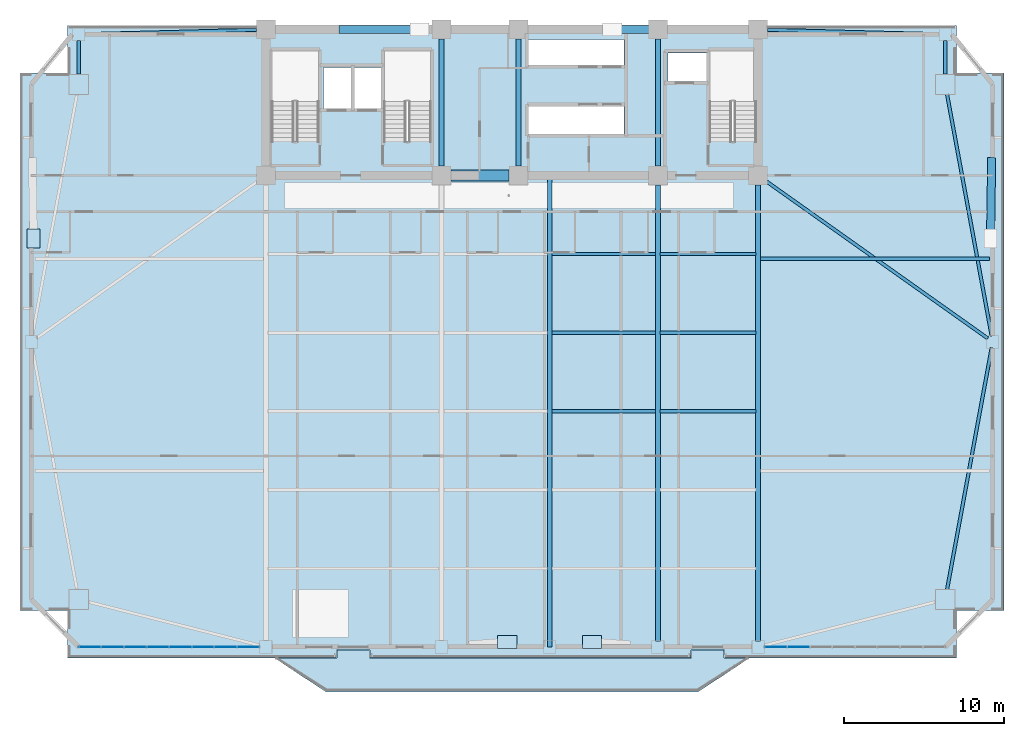
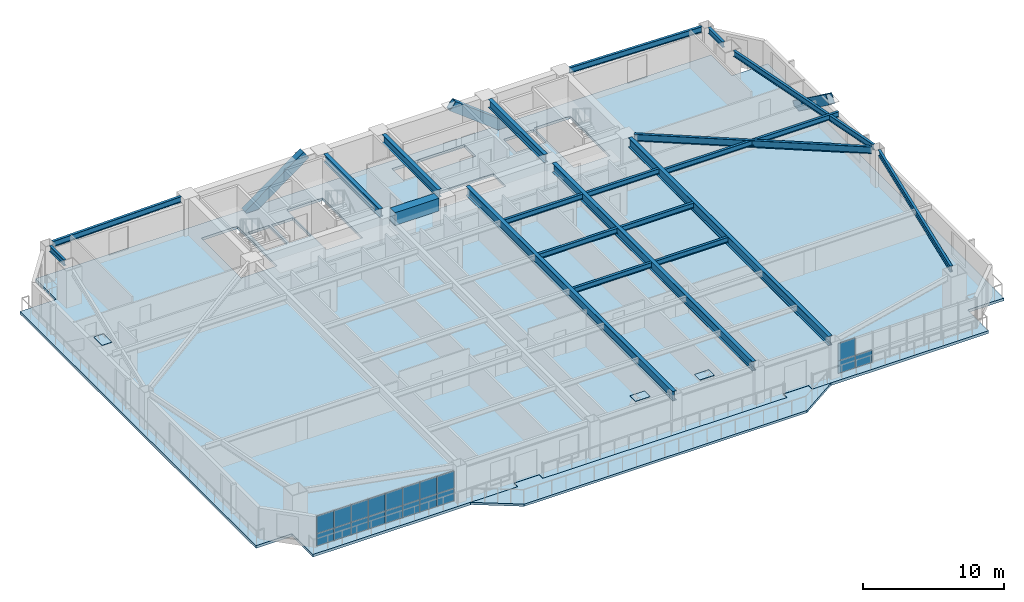
# One storey, part 6 of 17: 22 plates, 21 beams, 3 members, 2 slabs, 2 elements without a shape of their own.
"""IFC4 building model written with IfcOpenShell, lengths in metres."""

from ifc_helpers import new_model, si_unit, direction, frame, origin, origin_2d, place, context, subcontext, project, spatial, polyline, rectangle, hollow_rectangle, i_section, outline, extrude, source, transform, mapped, material, layer, layer_set, material_profile, profile_set, type_object, element, aggregate, save


model = new_model("IFC4")

# Units and contexts
model_context = context("Model", 3, precision=1e-05, world=origin(), true_north=direction((0.0, 1.0)))
body_context = subcontext(model_context, "Body", "Model", "MODEL_VIEW")
ifc_project = project(units=[si_unit("LENGTHUNIT", "METRE"), si_unit("AREAUNIT", "SQUARE_METRE"), si_unit("VOLUMEUNIT", "CUBIC_METRE"), si_unit("PLANEANGLEUNIT", "RADIAN"), si_unit("MASSUNIT", "GRAM", prefix="KILO")], contexts=[model_context])

# Site, building, storey
site_placement = place(None, origin())
site = spatial("IfcSite", under=ifc_project, at=site_placement, CompositionType="ELEMENT")
building_placement = place(site_placement, origin())
building = spatial("IfcBuilding", under=site, at=building_placement, Name="Giltprow Tower", CompositionType="ELEMENT")
storey_placement = place(building_placement, frame((0.0, 0.0, 141.199951171875)))
storey = spatial("IfcBuildingStorey", under=building, at=storey_placement, Name="L34", CompositionType="ELEMENT", Elevation=141.199951171875)

# Beams
ifc_material_1 = material(Name="Concrete C60", Category="concrete")
ifc_material_profile_1 = material_profile(ifc_material_1, rectangle(XDim=0.699951171875, YDim=1.10009765625, at=origin_2d()), Name="RC 1100x700")
ifc_profile_set_1 = profile_set([ifc_material_profile_1], Name="Concrete C60")
beam_type_1 = type_object("IfcBeamType", Name="BM-CPL-RC1100", PredefinedType="LINTEL", material=ifc_profile_set_1)
shared_shape_1 = source(origin(), body_context, "Body", "SweptSolid", [
    extrude(rectangle(XDim=0.699951171875, YDim=1.10009765625, at=origin_2d()), origin(), (0.0, 0.0, 1.0), 3.6298828125),
])
beam_1_placement = place(storey_placement, frame((31.385009765625, 37.449951171875, 2.670166015625), z_axis=(1.0, 0.0, 0.0), x_axis=(0.0, 1.0, 0.0)))
element("IfcBeam", 1, at=beam_1_placement, inside=storey, type_object=beam_type_1, Name="L34 Core Coupling Beam CB-1", PredefinedType="LINTEL", context=body_context, shape_type="MappedRepresentation", body=[
    mapped(shared_shape_1, transform((0.0, 0.0, 0.0), x_axis=(1.0, 0.0, 0.0), y_axis=(0.0, 1.0, 0.0), z_axis=(0.0, 0.0, 1.0), scale=1.0)),
])
ifc_material_2 = material(Name="Structural steel Q355B", Category="steel")
ifc_material_profile_2 = material_profile(ifc_material_2, i_section(OverallWidth=0.300048828125, OverallDepth=0.699951171875, WebThickness=0.012939453125, FlangeThickness=0.02392578125, at=origin_2d()), Name="HN 700x300x13x24")
ifc_profile_set_2 = profile_set([ifc_material_profile_2], Name="Structural steel Q355B")
beam_type_2 = type_object("IfcBeamType", Name="BM-GIRD-HN700", PredefinedType="BEAM", material=ifc_profile_set_2)
shared_shape_2 = source(origin(), body_context, "Body", "SweptSolid", [
    extrude(i_section(OverallWidth=0.300048828125, OverallDepth=0.699951171875, WebThickness=0.012939453125, FlangeThickness=0.02392578125, at=origin_2d()), origin(), (0.0, 0.0, 1.0), 7.93017578125),
])
for number, where, z_axis, x_axis, name in (
    (2, (30.800048828125, 38.034912109375, 2.8701171875), (0.0, 1.0, 0.0), (-1.0, 0.0, 0.0), "L34 Core Tie Girder M1"),
    (3, (35.60009765625, 38.034912109375, 2.8701171875), (0.0, 1.0, 0.0), (-1.0, 0.0, 0.0), "L34 Core Tie Girder M2"),
    (4, (44.300048828125, 38.034912109375, 2.8701171875), (0.0, 1.0, 0.0), (-1.0, 0.0, 0.0), "L34 Core Tie Girder M3"),
):
    element("IfcBeam", number, at=place(storey_placement, frame(where, z_axis=z_axis, x_axis=x_axis)), inside=storey, type_object=beam_type_2, Name=name, PredefinedType="BEAM", context=body_context, shape_type="MappedRepresentation", body=[
        mapped(shared_shape_2, transform((0.0, 0.0, 0.0), x_axis=(1.0, 0.0, 0.0), y_axis=(0.0, 1.0, 0.0), z_axis=(0.0, 0.0, 1.0), scale=1.0)),
    ])
ifc_material_profile_3 = material_profile(ifc_material_2, i_section(OverallWidth=0.199951171875, OverallDepth=0.449951171875, WebThickness=0.009033203125, FlangeThickness=0.013916015625, at=origin_2d()), Name="HN 450x200x9x14")
ifc_profile_set_3 = profile_set([ifc_material_profile_3], Name="Structural steel Q355B")
beam_type_3 = type_object("IfcBeamType", Name="BM-JOIST-HN450", PredefinedType="JOIST", material=ifc_profile_set_3)
shared_shape_3 = source(origin(), body_context, "Body", "SweptSolid", [
    extrude(i_section(OverallWidth=0.199951171875, OverallDepth=0.449951171875, WebThickness=0.009033203125, FlangeThickness=0.013916015625, at=origin_2d()), origin(), (0.0, 0.0, 1.0), 6.4599609375),
])
for number, where, z_axis, x_axis, name in (
    (5, (37.695068359375, 22.748046875, 2.9951171875), (1.0, 0.0, 0.0), (0.0, 1.0, 0.0), "L34 Composite Floor Joist 3-3"),
    (6, (37.695068359375, 27.64794921875, 2.9951171875), (1.0, 0.0, 0.0), (0.0, 1.0, 0.0), "L34 Composite Floor Joist 4-3"),
    (7, (37.695068359375, 32.549072265625, 2.9951171875), (1.0, 0.0, 0.0), (0.0, 1.0, 0.0), "L34 Composite Floor Joist 5-3"),
):
    element("IfcBeam", number, at=place(storey_placement, frame(where, z_axis=z_axis, x_axis=x_axis)), inside=storey, type_object=beam_type_3, Name=name, PredefinedType="JOIST", context=body_context, shape_type="MappedRepresentation", body=[
        mapped(shared_shape_3, transform((0.0, 0.0, 0.0), x_axis=(1.0, 0.0, 0.0), y_axis=(0.0, 1.0, 0.0), z_axis=(0.0, 0.0, 1.0), scale=1.0)),
    ])
shared_shape_4 = source(origin(), body_context, "Body", "SweptSolid", [
    extrude(i_section(OverallWidth=0.199951171875, OverallDepth=0.449951171875, WebThickness=0.009033203125, FlangeThickness=0.013916015625, at=origin_2d()), origin(), (0.0, 0.0, 1.0), 5.9599609375),
])
for number, where, z_axis, x_axis, name in (
    (8, (44.445068359375, 22.748046875, 2.9951171875), (1.0, 0.0, 0.0), (0.0, 1.0, 0.0), "L34 Composite Floor Joist 3-4"),
    (9, (44.445068359375, 27.64794921875, 2.9951171875), (1.0, 0.0, 0.0), (0.0, 1.0, 0.0), "L34 Composite Floor Joist 4-4"),
    (10, (44.445068359375, 32.549072265625, 2.9951171875), (1.0, 0.0, 0.0), (0.0, 1.0, 0.0), "L34 Composite Floor Joist 5-4"),
):
    element("IfcBeam", number, at=place(storey_placement, frame(where, z_axis=z_axis, x_axis=x_axis)), inside=storey, type_object=beam_type_3, Name=name, PredefinedType="JOIST", context=body_context, shape_type="MappedRepresentation", body=[
        mapped(shared_shape_4, transform((0.0, 0.0, 0.0), x_axis=(1.0, 0.0, 0.0), y_axis=(0.0, 1.0, 0.0), z_axis=(0.0, 0.0, 1.0), scale=1.0)),
    ])
shared_shape_5 = source(origin(), body_context, "Body", "SweptSolid", [
    extrude(i_section(OverallWidth=0.199951171875, OverallDepth=0.449951171875, WebThickness=0.009033203125, FlangeThickness=0.013916015625, at=origin_2d()), origin(), (0.0, 0.0, 1.0), 14.27099609375),
])
beam_2_placement = place(storey_placement, frame((50.695068359375, 32.260986328125, 2.9951171875), z_axis=(1.0, 0.0, 0.0), x_axis=(0.0, 1.0, 0.0)))
element("IfcBeam", 11, at=beam_2_placement, inside=storey, type_object=beam_type_3, Name="L34 East Wing Floor Joist 2", PredefinedType="JOIST", context=body_context, shape_type="MappedRepresentation", body=[
    mapped(shared_shape_5, transform((0.0, 0.0, 0.0), x_axis=(1.0, 0.0, 0.0), y_axis=(0.0, 1.0, 0.0), z_axis=(0.0, 0.0, 1.0), scale=1.0)),
])
ifc_material_profile_4 = material_profile(ifc_material_2, i_section(OverallWidth=0.199951171875, OverallDepth=0.5, WebThickness=0.010009765625, FlangeThickness=0.01611328125, at=origin_2d()), Name="HN 500x200x10x16")
ifc_profile_set_4 = profile_set([ifc_material_profile_4], Name="Structural steel Q355B")
beam_type_4 = type_object("IfcBeamType", Name="BM-SPAN-HN500", PredefinedType="SPANDREL", material=ifc_profile_set_4)
shared_shape_6 = source(origin(), body_context, "Body", "SweptSolid", [
    extrude(i_section(OverallWidth=0.199951171875, OverallDepth=0.5, WebThickness=0.010009765625, FlangeThickness=0.01611328125, at=origin_2d()), origin(), (0.0, 0.0, 1.0), 15.3134765625),
])
for number, where, z_axis, x_axis, name in (
    (12, (62.3359375, 11.634033203125, 2.969970703125), (0.181540600951, 0.98338345024, 0.0), (-0.98338345024, 0.181540600951, 0.0), "L34 Perimeter Spandrel Beam MC_SE-E_MID"),
    (13, (65.115966796875, 27.450927734375, 2.969970703125), (-0.181540600951, 0.98338345024, 0.0), (-0.98338345024, -0.181540600951, 0.0), "L34 Perimeter Spandrel Beam E_MID-MC_NE"),
):
    element("IfcBeam", number, at=place(storey_placement, frame(where, z_axis=z_axis, x_axis=x_axis)), inside=storey, type_object=beam_type_4, Name=name, PredefinedType="SPANDREL", context=body_context, shape_type="MappedRepresentation", body=[
        mapped(shared_shape_6, transform((0.0, 0.0, 0.0), x_axis=(1.0, 0.0, 0.0), y_axis=(0.0, 1.0, 0.0), z_axis=(0.0, 0.0, 1.0), scale=1.0)),
    ])
shared_shape_7 = source(origin(), body_context, "Body", "SweptSolid", [
    extrude(i_section(OverallWidth=0.199951171875, OverallDepth=0.5, WebThickness=0.010009765625, FlangeThickness=0.01611328125, at=origin_2d()), origin(), (0.0, 0.0, 1.0), 2.095947265625),
])
for number, where, z_axis, x_axis, name in (
    (14, (62.220947265625, 43.76904296875, 2.969970703125), (0.0, 1.0, 0.0), (-1.0, 0.0, 0.0), "L34 Perimeter Spandrel Beam MC_NE-N_E"),
    (15, (8.178955078125, 45.864990234375, 2.969970703125), (0.0, -1.0, 0.0), (1.0, 0.0, 0.0), "L34 Perimeter Spandrel Beam N_W-MC_NW"),
):
    element("IfcBeam", number, at=place(storey_placement, frame(where, z_axis=z_axis, x_axis=x_axis)), inside=storey, type_object=beam_type_4, Name=name, PredefinedType="SPANDREL", context=body_context, shape_type="MappedRepresentation", body=[
        mapped(shared_shape_7, transform((0.0, 0.0, 0.0), x_axis=(1.0, 0.0, 0.0), y_axis=(0.0, 1.0, 0.0), z_axis=(0.0, 0.0, 1.0), scale=1.0)),
    ])
shared_shape_8 = source(origin(), body_context, "Body", "SweptSolid", [
    extrude(i_section(OverallWidth=0.199951171875, OverallDepth=0.5, WebThickness=0.010009765625, FlangeThickness=0.01611328125, at=origin_2d()), origin(), (0.0, 0.0, 1.0), 10.704345703125),
])
for number, where, z_axis, x_axis, name in (
    (16, (8.56396484375, 46.260009765625, 2.969970703125), (0.999670185966, 0.02568110765, 0.0), (-0.02568110765, 0.999670185966, 0.0), "L34 North Wing Spandrel W"),
    (17, (51.135009765625, 46.534912109375, 2.969970703125), (0.999670185966, -0.02568110765, 0.0), (0.02568110765, 0.999670185966, 0.0), "L34 North Wing Spandrel E"),
):
    element("IfcBeam", number, at=place(storey_placement, frame(where, z_axis=z_axis, x_axis=x_axis)), inside=storey, type_object=beam_type_4, Name=name, PredefinedType="SPANDREL", context=body_context, shape_type="MappedRepresentation", body=[
        mapped(shared_shape_8, transform((0.0, 0.0, 0.0), x_axis=(1.0, 0.0, 0.0), y_axis=(0.0, 1.0, 0.0), z_axis=(0.0, 0.0, 1.0), scale=1.0)),
    ])
ifc_material_profile_5 = material_profile(ifc_material_2, i_section(OverallWidth=0.300048828125, OverallDepth=0.800048828125, WebThickness=0.013916015625, FlangeThickness=0.02587890625, at=origin_2d()), Name="HN 800x300x14x26")
ifc_profile_set_5 = profile_set([ifc_material_profile_5], Name="Structural steel Q355B")
beam_type_5 = type_object("IfcBeamType", Name="BM-GIRD-HN800", PredefinedType="BEAM", material=ifc_profile_set_5)
shared_shape_9 = source(origin(), body_context, "Body", "SweptSolid", [
    extrude(i_section(OverallWidth=0.300048828125, OverallDepth=0.800048828125, WebThickness=0.013916015625, FlangeThickness=0.02587890625, at=origin_2d()), origin(), (0.0, 0.0, 1.0), 28.43505859375),
])
for number, where, z_axis, x_axis, name in (
    (18, (44.300048828125, 8.429931640625, 2.820068359375), (0.0, 1.0, 0.0), (-1.0, 0.0, 0.0), "L34 Primary Lease Girder S3"),
    (19, (50.550048828125, 8.429931640625, 2.820068359375), (0.0, 1.0, 0.0), (-1.0, 0.0, 0.0), "L34 Primary Lease Girder S4"),
):
    element("IfcBeam", number, at=place(storey_placement, frame(where, z_axis=z_axis, x_axis=x_axis)), inside=storey, type_object=beam_type_5, Name=name, PredefinedType="BEAM", context=body_context, shape_type="MappedRepresentation", body=[
        mapped(shared_shape_9, transform((0.0, 0.0, 0.0), x_axis=(1.0, 0.0, 0.0), y_axis=(0.0, 1.0, 0.0), z_axis=(0.0, 0.0, 1.0), scale=1.0)),
    ])
shared_shape_10 = source(origin(), body_context, "Body", "SweptSolid", [
    extrude(i_section(OverallWidth=0.300048828125, OverallDepth=0.800048828125, WebThickness=0.013916015625, FlangeThickness=0.02587890625, at=origin_2d()), origin(), (0.0, 0.0, 1.0), 29.405029296875),
])
beam_3_placement = place(storey_placement, frame((37.550048828125, 8.044921875, 2.820068359375), z_axis=(0.0, 1.0, 0.0), x_axis=(-1.0, 0.0, 0.0)))
element("IfcBeam", 20, at=beam_3_placement, inside=storey, type_object=beam_type_5, Name="L34 Central Lease Girder SMID", PredefinedType="BEAM", context=body_context, shape_type="MappedRepresentation", body=[
    mapped(shared_shape_10, transform((0.0, 0.0, 0.0), x_axis=(1.0, 0.0, 0.0), y_axis=(0.0, 1.0, 0.0), z_axis=(0.0, 0.0, 1.0), scale=1.0)),
])
ifc_material_profile_6 = material_profile(ifc_material_2, i_section(OverallWidth=0.199951171875, OverallDepth=0.60009765625, WebThickness=0.010986328125, FlangeThickness=0.01708984375, at=origin_2d()), Name="HN 600x200x11x17")
ifc_profile_set_6 = profile_set([ifc_material_profile_6], Name="Structural steel Q355B")
beam_type_6 = type_object("IfcBeamType", Name="BM-GIRD-HN600", PredefinedType="BEAM", material=ifc_profile_set_6)
shared_shape_11 = source(origin(), body_context, "Body", "SweptSolid", [
    extrude(i_section(OverallWidth=0.199951171875, OverallDepth=0.60009765625, WebThickness=0.010986328125, FlangeThickness=0.01708984375, at=origin_2d()), origin(), (0.0, 0.0, 1.0), 16.972412109375),
])
beam_4_placement = place(storey_placement, frame((64.8720703125, 27.294921875, 2.920166015625), z_axis=(-0.815738567685, 0.57842077175, 0.0), x_axis=(-0.57842077175, -0.815738567685, 0.0)))
element("IfcBeam", 21, at=beam_4_placement, inside=storey, type_object=beam_type_6, Name="L34 East Wing Primary Girder", PredefinedType="BEAM", context=body_context, shape_type="MappedRepresentation", body=[
    mapped(shared_shape_11, transform((0.0, 0.0, 0.0), x_axis=(1.0, 0.0, 0.0), y_axis=(0.0, 1.0, 0.0), z_axis=(0.0, 0.0, 1.0), scale=1.0)),
])

# Members
ifc_material_3 = material(Name="Structural steel Q420GJC", Category="steel")
ifc_material_profile_7 = material_profile(ifc_material_3, hollow_rectangle(XDim=0.5, YDim=0.800048828125, WallThickness=0.035888671875, at=origin_2d()), Name="RHS 800x500x36")
ifc_profile_set_7 = profile_set([ifc_material_profile_7], Name="Structural steel Q420GJC")
member_type = type_object("IfcMemberType", Name="MBR-MEGA-RHS800", PredefinedType="BRACE", material=ifc_profile_set_7)
shared_shape_12 = source(origin(), body_context, "Body", "SweptSolid", [
    extrude(hollow_rectangle(XDim=0.5, YDim=0.800048828125, WallThickness=0.035888671875, at=origin_2d()), origin(), (0.0, 0.0, 1.0), 5.740478515625),
])
member_1_placement = place(storey_placement, frame((46.0, 46.550048828125, -0.139892578125), z_axis=(-0.792627151158, 0.0, 0.609706650158), x_axis=(0.0, -1.0, 0.0)))
element("IfcMember", 22, at=member_1_placement, inside=storey, type_object=member_type, Name="L34 Chevron Mega-Brace N-R", PredefinedType="BRACE", context=body_context, shape_type="MappedRepresentation", body=[
    mapped(shared_shape_12, transform((0.0, 0.0, 0.0), x_axis=(1.0, 0.0, 0.0), y_axis=(0.0, 1.0, 0.0), z_axis=(0.0, 0.0, 1.0), scale=1.0)),
])
shared_shape_13 = source(origin(), body_context, "Body", "SweptSolid", [
    extrude(hollow_rectangle(XDim=0.5, YDim=0.800048828125, WallThickness=0.035888671875, at=origin_2d()), origin(), (0.0, 0.0, 1.0), 5.935546875),
])
member_2_placement = place(storey_placement, frame((24.64306640625, 46.550048828125, -0.139892578125), z_axis=(0.807653298864, 0.0, 0.589657653927), x_axis=(0.0, 1.0, 0.0)))
element("IfcMember", 23, at=member_2_placement, inside=storey, type_object=member_type, Name="L34 Chevron Mega-Brace N-L", PredefinedType="BRACE", context=body_context, shape_type="MappedRepresentation", body=[
    mapped(shared_shape_13, transform((0.0, 0.0, 0.0), x_axis=(1.0, 0.0, 0.0), y_axis=(0.0, 1.0, 0.0), z_axis=(0.0, 0.0, 1.0), scale=1.0)),
])
shared_shape_14 = source(origin(), body_context, "Body", "SweptSolid", [
    extrude(hollow_rectangle(XDim=0.5, YDim=0.800048828125, WallThickness=0.035888671875, at=origin_2d()), origin(), (0.0, 0.0, 1.0), 5.947265625),
])
member_3_placement = place(storey_placement, frame((65.114013671875, 38.325927734375, 0.0), z_axis=(-0.01194570988, -0.808408469673, 0.588500676445), x_axis=(0.999890840609, -0.014775211223, 0.0)))
element("IfcMember", 24, at=member_3_placement, inside=storey, type_object=member_type, Name="L34 Chevron Mega-Brace E-R", PredefinedType="BRACE", context=body_context, shape_type="MappedRepresentation", body=[
    mapped(shared_shape_14, transform((0.0, 0.0, 0.0), x_axis=(1.0, 0.0, 0.0), y_axis=(0.0, 1.0, 0.0), z_axis=(0.0, 0.0, 1.0), scale=1.0)),
])

# Slabs
ifc_material_4 = material(Name="Concrete C40", Category="concrete")
ifc_layer_1 = layer(ifc_material_4, 0.199951171875, Name="Concrete C40")
ifc_layer_set_1 = layer_set([ifc_layer_1], Name="Concrete C40")
slab_type_1 = type_object("IfcSlabType", Name="SLB-BALC-BRONZE-200", PredefinedType="FLOOR", material=ifc_layer_set_1)
slab_1_placement = place(storey_placement, frame((0.0, 0.0, -0.199951171875)))
element("IfcSlab", 25, at=slab_1_placement, inside=storey, type_object=slab_type_1, Name="L34 Bronze Prow Waterfront Balcony Slab", PredefinedType="FLOOR", context=body_context, shape_type="SweptSolid", body=[
    extrude(outline(polyline([(50.0, 7.344970703125), (46.800048828125, 5.2451171875), (23.60009765625, 5.2451171875), (20.39990234375, 7.344970703125), (24.280029296875, 7.344970703125), (24.280029296875, 7.844970703125), (26.320068359375, 7.844970703125), (26.320068359375, 7.344970703125), (46.3798828125, 7.344970703125), (46.3798828125, 7.844970703125), (48.419921875, 7.844970703125), (48.419921875, 7.344970703125), (50.0, 7.344970703125)])), origin(), (0.0, 0.0, 1.0), 0.199951171875),
])
ifc_layer_2 = layer(ifc_material_4, 0.22998046875, Name="Concrete C40")
ifc_layer_set_2 = layer_set([ifc_layer_2], Name="Concrete C40")
slab_type_2 = type_object("IfcSlabType", Name="SLB-HTL-230", PredefinedType="FLOOR", material=ifc_layer_set_2)
slab_2_placement = place(storey_placement, frame((0.0, 0.0, -0.22998046875)))
element("IfcSlab", 26, at=slab_2_placement, inside=storey, type_object=slab_type_2, Name="L34 Structural Composite Floor Slab", PredefinedType="FLOOR", context=body_context, shape_type="SweptSolid", body=[
    extrude(outline(polyline([(7.47900390625, 7.344970703125), (7.47900390625, 10.30908203125), (4.513916015625, 10.30908203125), (4.513916015625, 43.833984375), (7.47900390625, 43.833984375), (7.47900390625, 46.799072265625), (62.9208984375, 46.799072265625), (62.9208984375, 43.833984375), (65.885986328125, 43.833984375), (65.885986328125, 10.30908203125), (62.9208984375, 10.30908203125), (62.9208984375, 7.344970703125), (48.449951171875, 7.344970703125), (48.449951171875, 7.864990234375), (46.35009765625, 7.864990234375), (46.35009765625, 7.344970703125), (26.35009765625, 7.344970703125), (26.35009765625, 7.864990234375), (24.25, 7.864990234375), (24.25, 7.344970703125), (7.47900390625, 7.344970703125)]), holes=[polyline([(42.169921875, 41.800048828125), (36.239990234375, 41.800048828125), (36.239990234375, 40.0), (42.169921875, 40.0), (42.169921875, 41.800048828125)]), polyline([(23.159912109375, 39.570068359375), (23.159912109375, 45.25), (20.199951171875, 45.25), (20.199951171875, 39.570068359375), (23.159912109375, 39.570068359375)]), polyline([(30.159912109375, 39.570068359375), (30.159912109375, 45.25), (27.199951171875, 45.25), (27.199951171875, 39.570068359375), (30.159912109375, 39.570068359375)]), polyline([(50.4599609375, 45.25), (47.5, 45.25), (47.5, 39.570068359375), (50.4599609375, 39.570068359375), (50.4599609375, 45.25)]), polyline([(25.169921875, 44.199951171875), (23.449951171875, 44.199951171875), (23.449951171875, 41.60009765625), (25.169921875, 41.60009765625), (25.169921875, 44.199951171875)]), polyline([(27.10009765625, 44.199951171875), (25.35009765625, 44.199951171875), (25.35009765625, 41.60009765625), (27.10009765625, 41.60009765625), (27.10009765625, 44.199951171875)]), polyline([(47.3798828125, 43.300048828125), (47.3798828125, 45.10009765625), (44.919921875, 45.10009765625), (44.919921875, 43.300048828125), (47.3798828125, 43.300048828125)]), polyline([(42.169921875, 44.300048828125), (42.169921875, 45.919921875), (36.239990234375, 45.919921875), (36.239990234375, 44.300048828125), (42.169921875, 44.300048828125)])]), origin(), (0.0, 0.0, 1.0), 0.22998046875),
])

# Plates
plate_type_1 = type_object("IfcPlateType", Name="PLT-CAP-SEAL", PredefinedType="USERDEFINED", material=ifc_material_3)
shared_shape_15 = source(origin(), body_context, "Body", "SweptSolid", [
    extrude(rectangle(XDim=1.199951171875, YDim=0.800048828125, at=origin_2d()), origin(), (0.0, 0.0, 1.0), 0.034912109375),
])
for number, where, z_axis, x_axis, name in (
    (27, (34.908935546875, 8.365966796875, 3.482421875), (0.0, 0.0, 1.0), (1.0, 0.0, 0.0), "Mega-Brace Node L34-S-LB"),
    (28, (40.19091796875, 8.365966796875, 3.482421875), (0.0, 0.0, 1.0), (1.0, 0.0, 0.0), "Mega-Brace Node L34-S-RB"),
    (29, (5.35693359375, 33.51806640625, 3.482421875), (0.0, 0.0, 1.0), (0.0, 1.0, 0.0), "Mega-Brace Node L34-W-RB"),
):
    element("IfcPlate", number, at=place(storey_placement, frame(where, z_axis=z_axis, x_axis=x_axis)), inside=storey, type_object=plate_type_1, Name=name, ObjectType="SPLICE", PredefinedType="USERDEFINED", context=body_context, shape_type="MappedRepresentation", body=[
        mapped(shared_shape_15, transform((0.0, 0.0, 0.0), x_axis=(1.0, 0.0, 0.0), y_axis=(0.0, 1.0, 0.0), z_axis=(0.0, 0.0, 1.0), scale=1.0)),
    ])

# Curtain wall, plates
ifc_material_5 = material(Name="Anodized bronze", Category="metal")
ifc_layer_3 = layer(ifc_material_5, 0.179931640625, Name="Anodized bronze")
ifc_layer_set_3 = layer_set([ifc_layer_3], Name="Anodized bronze")
curtain_wall_type = type_object("IfcCurtainWallType", Name="CW-HTL-BRONZE", PredefinedType="NOTDEFINED", material=ifc_layer_set_3)
curtain_wall_1_placement = place(storey_placement, origin())
curtain_wall_1 = element("IfcCurtainWall", 30, at=curtain_wall_1_placement, inside=storey, type_object=curtain_wall_type, Name="L34 South Recessed Curtain Wall 1", PredefinedType="NOTDEFINED")
ifc_material_6 = material(Name="Insulated glass", Category="glass")
plate_type_2 = type_object("IfcPlateType", Name="CW-PANEL-IGU-28", PredefinedType="CURTAIN_PANEL", material=ifc_material_6)
shared_shape_16 = source(origin(), body_context, "Body", "SweptSolid", [
    extrude(rectangle(XDim=1.37890625, YDim=0.028076171875, at=origin_2d()), origin(), (0.0, 0.0, 1.0), 1.06591796875),
])
plate_1_placement = place(storey_placement, frame((8.883056640625, 8.044921875, 0.05419921875), z_axis=(0.0, 0.0, 1.0), x_axis=(1.0, 0.0, 0.0)))
plate_1 = element("IfcPlate", 31, at=plate_1_placement, type_object=plate_type_2, Name="L34 South Recessed Curtain Wall 1 Glazing Panel 1-1", PredefinedType="CURTAIN_PANEL", context=body_context, shape_type="MappedRepresentation", body=[
    mapped(shared_shape_16, transform((0.0, 0.0, 0.0), x_axis=(1.0, 0.0, 0.0), y_axis=(0.0, 1.0, 0.0), z_axis=(0.0, 0.0, 1.0), scale=1.0)),
])
plate_2_placement = place(storey_placement, frame((10.2919921875, 8.044921875, 0.05419921875), z_axis=(0.0, 0.0, 1.0), x_axis=(1.0, 0.0, 0.0)))
plate_2 = element("IfcPlate", 32, at=plate_2_placement, type_object=plate_type_2, Name="L34 South Recessed Curtain Wall 1 Glazing Panel 2-1", PredefinedType="CURTAIN_PANEL", context=body_context, shape_type="MappedRepresentation", body=[
    mapped(shared_shape_16, transform((0.0, 0.0, 0.0), x_axis=(1.0, 0.0, 0.0), y_axis=(0.0, 1.0, 0.0), z_axis=(0.0, 0.0, 1.0), scale=1.0)),
])
plate_3_placement = place(storey_placement, frame((11.700927734375, 8.044921875, 0.05419921875), z_axis=(0.0, 0.0, 1.0), x_axis=(1.0, 0.0, 0.0)))
plate_3 = element("IfcPlate", 33, at=plate_3_placement, type_object=plate_type_2, Name="L34 South Recessed Curtain Wall 1 Glazing Panel 3-1", PredefinedType="CURTAIN_PANEL", context=body_context, shape_type="MappedRepresentation", body=[
    mapped(shared_shape_16, transform((0.0, 0.0, 0.0), x_axis=(1.0, 0.0, 0.0), y_axis=(0.0, 1.0, 0.0), z_axis=(0.0, 0.0, 1.0), scale=1.0)),
])
plate_4_placement = place(storey_placement, frame((13.110107421875, 8.044921875, 0.05419921875), z_axis=(0.0, 0.0, 1.0), x_axis=(1.0, 0.0, 0.0)))
plate_4 = element("IfcPlate", 34, at=plate_4_placement, type_object=plate_type_2, Name="L34 South Recessed Curtain Wall 1 Glazing Panel 4-1", PredefinedType="CURTAIN_PANEL", context=body_context, shape_type="MappedRepresentation", body=[
    mapped(shared_shape_16, transform((0.0, 0.0, 0.0), x_axis=(1.0, 0.0, 0.0), y_axis=(0.0, 1.0, 0.0), z_axis=(0.0, 0.0, 1.0), scale=1.0)),
])
plate_5_placement = place(storey_placement, frame((14.51904296875, 8.044921875, 0.05419921875), z_axis=(0.0, 0.0, 1.0), x_axis=(1.0, 0.0, 0.0)))
plate_5 = element("IfcPlate", 35, at=plate_5_placement, type_object=plate_type_2, Name="L34 South Recessed Curtain Wall 1 Glazing Panel 5-1", PredefinedType="CURTAIN_PANEL", context=body_context, shape_type="MappedRepresentation", body=[
    mapped(shared_shape_16, transform((0.0, 0.0, 0.0), x_axis=(1.0, 0.0, 0.0), y_axis=(0.0, 1.0, 0.0), z_axis=(0.0, 0.0, 1.0), scale=1.0)),
])
plate_6_placement = place(storey_placement, frame((15.927978515625, 8.044921875, 0.05419921875), z_axis=(0.0, 0.0, 1.0), x_axis=(1.0, 0.0, 0.0)))
plate_6 = element("IfcPlate", 36, at=plate_6_placement, type_object=plate_type_2, Name="L34 South Recessed Curtain Wall 1 Glazing Panel 6-1", PredefinedType="CURTAIN_PANEL", context=body_context, shape_type="MappedRepresentation", body=[
    mapped(shared_shape_16, transform((0.0, 0.0, 0.0), x_axis=(1.0, 0.0, 0.0), y_axis=(0.0, 1.0, 0.0), z_axis=(0.0, 0.0, 1.0), scale=1.0)),
])
plate_7_placement = place(storey_placement, frame((17.3369140625, 8.044921875, 0.05419921875), z_axis=(0.0, 0.0, 1.0), x_axis=(1.0, 0.0, 0.0)))
plate_7 = element("IfcPlate", 37, at=plate_7_placement, type_object=plate_type_2, Name="L34 South Recessed Curtain Wall 1 Glazing Panel 7-1", PredefinedType="CURTAIN_PANEL", context=body_context, shape_type="MappedRepresentation", body=[
    mapped(shared_shape_16, transform((0.0, 0.0, 0.0), x_axis=(1.0, 0.0, 0.0), y_axis=(0.0, 1.0, 0.0), z_axis=(0.0, 0.0, 1.0), scale=1.0)),
])
plate_8_placement = place(storey_placement, frame((18.74609375, 8.044921875, 0.05419921875), z_axis=(0.0, 0.0, 1.0), x_axis=(1.0, 0.0, 0.0)))
plate_8 = element("IfcPlate", 38, at=plate_8_placement, type_object=plate_type_2, Name="L34 South Recessed Curtain Wall 1 Glazing Panel 8-1", PredefinedType="CURTAIN_PANEL", context=body_context, shape_type="MappedRepresentation", body=[
    mapped(shared_shape_16, transform((0.0, 0.0, 0.0), x_axis=(1.0, 0.0, 0.0), y_axis=(0.0, 1.0, 0.0), z_axis=(0.0, 0.0, 1.0), scale=1.0)),
])

curtain_wall_2_placement = place(storey_placement, origin())
curtain_wall_2 = element("IfcCurtainWall", 39, at=curtain_wall_2_placement, inside=storey, type_object=curtain_wall_type, Name="L34 South Recessed Curtain Wall 6", PredefinedType="NOTDEFINED")
plate_9_placement = place(storey_placement, frame((51.654052734375, 8.044921875, 0.05419921875), z_axis=(0.0, 0.0, 1.0), x_axis=(1.0, 0.0, 0.0)))
plate_9 = element("IfcPlate", 40, at=plate_9_placement, type_object=plate_type_2, Name="L34 South Recessed Curtain Wall 6 Glazing Panel 1-1", PredefinedType="CURTAIN_PANEL", context=body_context, shape_type="MappedRepresentation", body=[
    mapped(shared_shape_16, transform((0.0, 0.0, 0.0), x_axis=(1.0, 0.0, 0.0), y_axis=(0.0, 1.0, 0.0), z_axis=(0.0, 0.0, 1.0), scale=1.0)),
])
plate_10_placement = place(storey_placement, frame((53.06298828125, 8.044921875, 0.05419921875), z_axis=(0.0, 0.0, 1.0), x_axis=(1.0, 0.0, 0.0)))
plate_10 = element("IfcPlate", 41, at=plate_10_placement, type_object=plate_type_2, Name="L34 South Recessed Curtain Wall 6 Glazing Panel 2-1", PredefinedType="CURTAIN_PANEL", context=body_context, shape_type="MappedRepresentation", body=[
    mapped(shared_shape_16, transform((0.0, 0.0, 0.0), x_axis=(1.0, 0.0, 0.0), y_axis=(0.0, 1.0, 0.0), z_axis=(0.0, 0.0, 1.0), scale=1.0)),
])

# Plate
shared_shape_17 = source(origin(), body_context, "Body", "SweptSolid", [
    extrude(rectangle(XDim=1.37890625, YDim=0.028076171875, at=origin_2d()), origin(), (0.0, 0.0, 1.0), 1.498046875),
])
plate_11_placement = place(storey_placement, frame((8.883056640625, 8.044921875, 1.14794921875), z_axis=(0.0, 0.0, 1.0), x_axis=(1.0, 0.0, 0.0)))
plate_11 = element("IfcPlate", 42, at=plate_11_placement, type_object=plate_type_2, Name="L34 South Recessed Curtain Wall 1 Glazing Panel 1-2", PredefinedType="CURTAIN_PANEL", context=body_context, shape_type="MappedRepresentation", body=[
    mapped(shared_shape_17, transform((0.0, 0.0, 0.0), x_axis=(1.0, 0.0, 0.0), y_axis=(0.0, 1.0, 0.0), z_axis=(0.0, 0.0, 1.0), scale=1.0)),
])

plate_12_placement = place(storey_placement, frame((10.2919921875, 8.044921875, 1.14794921875), z_axis=(0.0, 0.0, 1.0), x_axis=(1.0, 0.0, 0.0)))
plate_12 = element("IfcPlate", 43, at=plate_12_placement, type_object=plate_type_2, Name="L34 South Recessed Curtain Wall 1 Glazing Panel 2-2", PredefinedType="CURTAIN_PANEL", context=body_context, shape_type="MappedRepresentation", body=[
    mapped(shared_shape_17, transform((0.0, 0.0, 0.0), x_axis=(1.0, 0.0, 0.0), y_axis=(0.0, 1.0, 0.0), z_axis=(0.0, 0.0, 1.0), scale=1.0)),
])

plate_13_placement = place(storey_placement, frame((11.700927734375, 8.044921875, 1.14794921875), z_axis=(0.0, 0.0, 1.0), x_axis=(1.0, 0.0, 0.0)))
plate_13 = element("IfcPlate", 44, at=plate_13_placement, type_object=plate_type_2, Name="L34 South Recessed Curtain Wall 1 Glazing Panel 3-2", PredefinedType="CURTAIN_PANEL", context=body_context, shape_type="MappedRepresentation", body=[
    mapped(shared_shape_17, transform((0.0, 0.0, 0.0), x_axis=(1.0, 0.0, 0.0), y_axis=(0.0, 1.0, 0.0), z_axis=(0.0, 0.0, 1.0), scale=1.0)),
])

plate_14_placement = place(storey_placement, frame((13.110107421875, 8.044921875, 1.14794921875), z_axis=(0.0, 0.0, 1.0), x_axis=(1.0, 0.0, 0.0)))
plate_14 = element("IfcPlate", 45, at=plate_14_placement, type_object=plate_type_2, Name="L34 South Recessed Curtain Wall 1 Glazing Panel 4-2", PredefinedType="CURTAIN_PANEL", context=body_context, shape_type="MappedRepresentation", body=[
    mapped(shared_shape_17, transform((0.0, 0.0, 0.0), x_axis=(1.0, 0.0, 0.0), y_axis=(0.0, 1.0, 0.0), z_axis=(0.0, 0.0, 1.0), scale=1.0)),
])

plate_15_placement = place(storey_placement, frame((14.51904296875, 8.044921875, 1.14794921875), z_axis=(0.0, 0.0, 1.0), x_axis=(1.0, 0.0, 0.0)))
plate_15 = element("IfcPlate", 46, at=plate_15_placement, type_object=plate_type_2, Name="L34 South Recessed Curtain Wall 1 Glazing Panel 5-2", PredefinedType="CURTAIN_PANEL", context=body_context, shape_type="MappedRepresentation", body=[
    mapped(shared_shape_17, transform((0.0, 0.0, 0.0), x_axis=(1.0, 0.0, 0.0), y_axis=(0.0, 1.0, 0.0), z_axis=(0.0, 0.0, 1.0), scale=1.0)),
])

plate_16_placement = place(storey_placement, frame((15.927978515625, 8.044921875, 1.14794921875), z_axis=(0.0, 0.0, 1.0), x_axis=(1.0, 0.0, 0.0)))
plate_16 = element("IfcPlate", 47, at=plate_16_placement, type_object=plate_type_2, Name="L34 South Recessed Curtain Wall 1 Glazing Panel 6-2", PredefinedType="CURTAIN_PANEL", context=body_context, shape_type="MappedRepresentation", body=[
    mapped(shared_shape_17, transform((0.0, 0.0, 0.0), x_axis=(1.0, 0.0, 0.0), y_axis=(0.0, 1.0, 0.0), z_axis=(0.0, 0.0, 1.0), scale=1.0)),
])

plate_17_placement = place(storey_placement, frame((17.3369140625, 8.044921875, 1.14794921875), z_axis=(0.0, 0.0, 1.0), x_axis=(1.0, 0.0, 0.0)))
plate_17 = element("IfcPlate", 48, at=plate_17_placement, type_object=plate_type_2, Name="L34 South Recessed Curtain Wall 1 Glazing Panel 7-2", PredefinedType="CURTAIN_PANEL", context=body_context, shape_type="MappedRepresentation", body=[
    mapped(shared_shape_17, transform((0.0, 0.0, 0.0), x_axis=(1.0, 0.0, 0.0), y_axis=(0.0, 1.0, 0.0), z_axis=(0.0, 0.0, 1.0), scale=1.0)),
])

plate_18_placement = place(storey_placement, frame((18.74609375, 8.044921875, 1.14794921875), z_axis=(0.0, 0.0, 1.0), x_axis=(1.0, 0.0, 0.0)))
plate_18 = element("IfcPlate", 49, at=plate_18_placement, type_object=plate_type_2, Name="L34 South Recessed Curtain Wall 1 Glazing Panel 8-2", PredefinedType="CURTAIN_PANEL", context=body_context, shape_type="MappedRepresentation", body=[
    mapped(shared_shape_17, transform((0.0, 0.0, 0.0), x_axis=(1.0, 0.0, 0.0), y_axis=(0.0, 1.0, 0.0), z_axis=(0.0, 0.0, 1.0), scale=1.0)),
])

aggregate(curtain_wall_1, [plate_1, plate_11, plate_2, plate_12, plate_3, plate_13, plate_4, plate_14, plate_5, plate_15, plate_6, plate_16, plate_7, plate_17, plate_8, plate_18])

plate_19_placement = place(storey_placement, frame((51.654052734375, 8.044921875, 1.14794921875), z_axis=(0.0, 0.0, 1.0), x_axis=(1.0, 0.0, 0.0)))
plate_19 = element("IfcPlate", 50, at=plate_19_placement, type_object=plate_type_2, Name="L34 South Recessed Curtain Wall 6 Glazing Panel 1-2", PredefinedType="CURTAIN_PANEL", context=body_context, shape_type="MappedRepresentation", body=[
    mapped(shared_shape_17, transform((0.0, 0.0, 0.0), x_axis=(1.0, 0.0, 0.0), y_axis=(0.0, 1.0, 0.0), z_axis=(0.0, 0.0, 1.0), scale=1.0)),
])

aggregate(curtain_wall_2, [plate_9, plate_19, plate_10])

save(model, "model.ifc")
